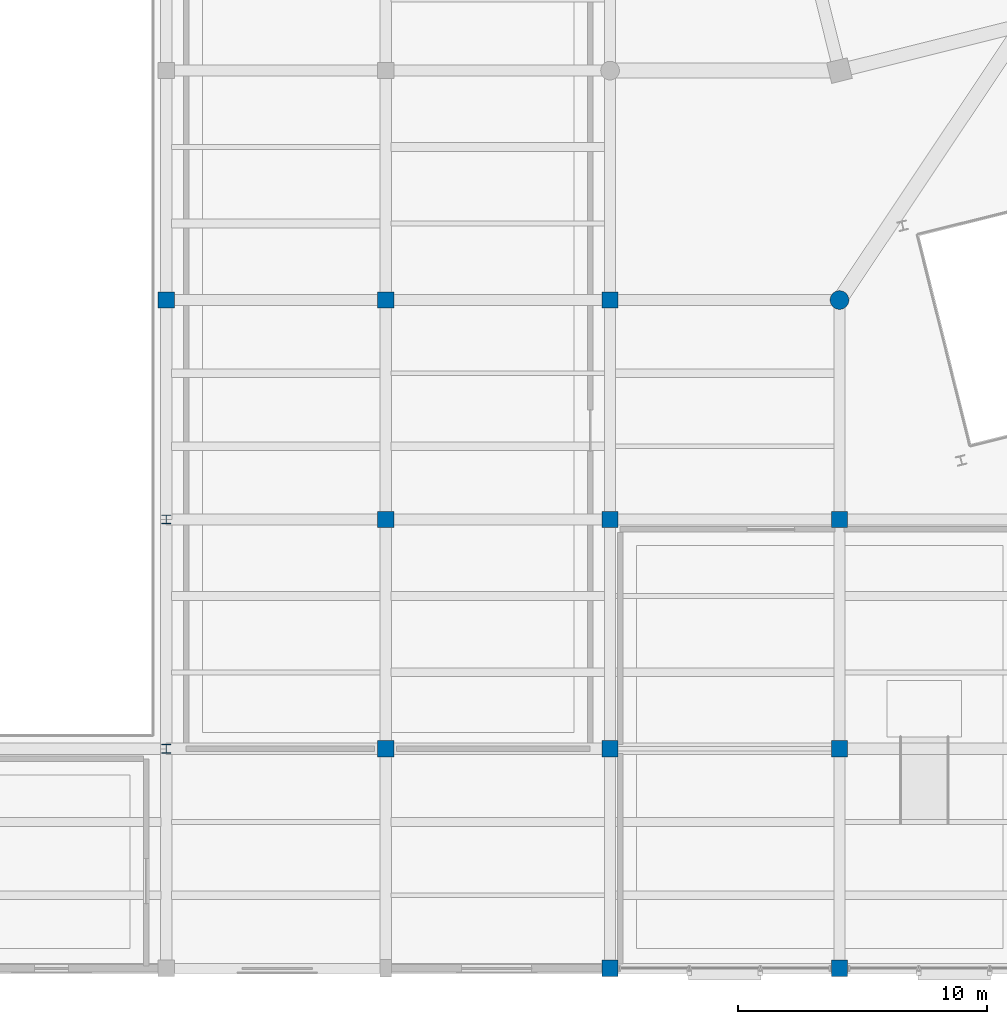
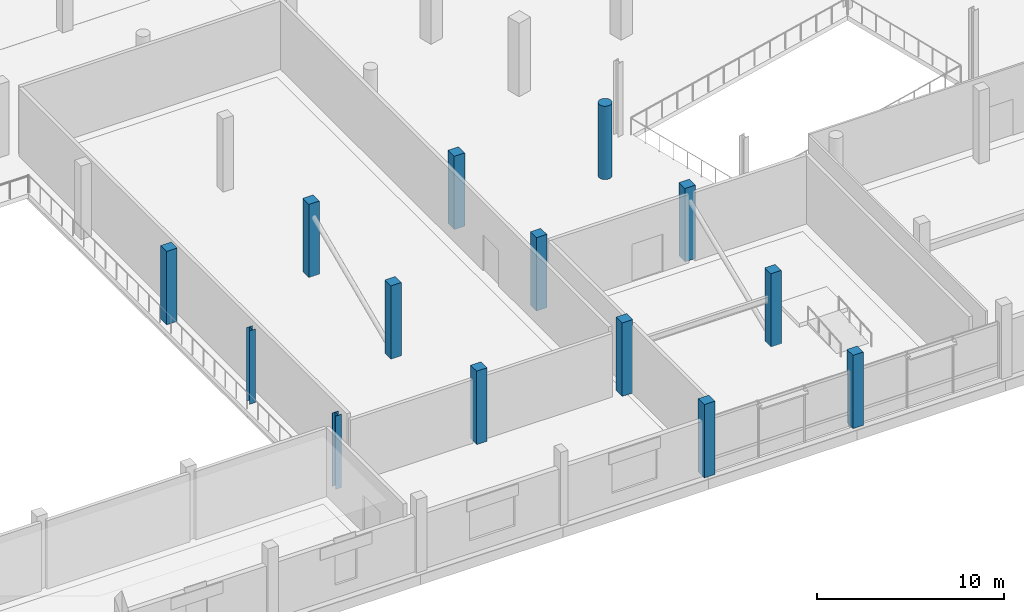
# One storey, part 2 of 71: 14 columns.
"""IFC4 building model written with IfcOpenShell, lengths in metres."""

import ifcopenshell
import ifcopenshell.guid

model = None  # the IFC model being written
_history = None  # IfcOwnerHistory: only IFC2X3 demands one
_inside = {}  # id of a spatial element -> (the spatial element, [elements in it])
_under = {}  # id of a project, library or spatial element -> (it, [spatial elements below it])
_declared = {}  # id of a project -> (the project, [libraries it declares])
_typed = {}  # id of a type object -> (the type object, [elements of that type])
_made_of = {}  # id of a material, layer set ... -> (it, [elements and type objects made of it])


def new_model(schema):
    """Start an empty IFC model of exactly this schema.

    Asked for "IFC4X3", IfcOpenShell would pick the latest addendum, in which some entities
    have other attributes; the version numbers below select the first issue.
    IFC2X3 requires an IfcOwnerHistory on every rooted entity: one is made here for all.
    """
    global model, _history
    if schema == "IFC4X3":
        model = ifcopenshell.file(schema_version=(4, 3, 0, 0))
    else:
        model = ifcopenshell.file(schema=schema)
    _inside.clear()
    _under.clear()
    _declared.clear()
    _typed.clear()
    _made_of.clear()
    _history = None
    if model.schema == "IFC2X3":
        org = make("IfcOrganization", Name="unknown")
        user = make(
            "IfcPersonAndOrganization",
            ThePerson=make("IfcPerson", FamilyName="unknown"),
            TheOrganization=org,
        )
        app = make(
            "IfcApplication",
            ApplicationDeveloper=org,
            Version="unknown",
            ApplicationFullName="unknown",
            ApplicationIdentifier="unknown",
        )
        _history = make(
            "IfcOwnerHistory",
            OwningUser=user,
            OwningApplication=app,
            ChangeAction="ADDED",
            CreationDate=0,
        )
    return model


def make(cls, **values):
    """One entity of the class cls with the attributes given. An attribute that is None is left unset."""
    return model.create_entity(
        cls, **{name: value for name, value in values.items() if value is not None}
    )


def rooted(cls, **values):
    """An entity with a GlobalId (a new one), such as an element, a storey or a relation."""
    return make(cls, GlobalId=ifcopenshell.guid.new(), OwnerHistory=_history, **values)


def si_unit(unit_type, name, prefix=None):
    """IfcSIUnit, for example si_unit("LENGTHUNIT", "METRE", prefix="MILLI")."""
    return make("IfcSIUnit", UnitType=unit_type, Prefix=prefix, Name=name)


def assignment(units):
    """IfcUnitAssignment: the units of a project."""
    return None if units is None else make("IfcUnitAssignment", Units=units)


def point(xyz):
    """IfcCartesianPoint."""
    return None if xyz is None else make("IfcCartesianPoint", Coordinates=xyz)


def direction(xyz):
    """IfcDirection."""
    return None if xyz is None else make("IfcDirection", DirectionRatios=xyz)


def frame(location, z_axis=None, x_axis=None):
    """IfcAxis2Placement3D, a coordinate frame: its origin and axes. An axis left out is left unset."""
    return make(
        "IfcAxis2Placement3D",
        Location=point(location),
        Axis=direction(z_axis),
        RefDirection=direction(x_axis),
    )


def frame_2d(location, x_axis=None):
    """IfcAxis2Placement2D, a coordinate frame in the plane: its origin and x axis."""
    return make(
        "IfcAxis2Placement2D", Location=point(location), RefDirection=direction(x_axis)
    )


def origin():
    """The frame at (0, 0, 0) with its axes left unset."""
    return frame((0.0, 0.0, 0.0))


def origin_2d():
    """The frame at (0, 0) in the plane with its x axis left unset."""
    return frame_2d((0.0, 0.0))


def place(relative_to, where):
    """IfcLocalPlacement: puts the frame where relative to a parent placement (None: the world)."""
    return make(
        "IfcLocalPlacement", PlacementRelTo=relative_to, RelativePlacement=where
    )


def context(
    kind, dimensions, precision=None, world=None, true_north=None, identifier=None
):
    """IfcGeometricRepresentationContext, for example the 3D "Model" context."""
    return make(
        "IfcGeometricRepresentationContext",
        ContextIdentifier=identifier,
        ContextType=kind,
        CoordinateSpaceDimension=dimensions,
        Precision=precision,
        WorldCoordinateSystem=world,
        TrueNorth=true_north,
    )


def subcontext(parent, identifier, kind, view, scale=None):
    """IfcGeometricRepresentationSubContext, for example "Body" below "Model"."""
    return make(
        "IfcGeometricRepresentationSubContext",
        ContextIdentifier=identifier,
        ContextType=kind,
        ParentContext=parent,
        TargetScale=scale,
        TargetView=view,
    )


def project(units=None, contexts=None):
    """IfcProject with its units and contexts."""
    return rooted(
        "IfcProject",
        Name="project",
        RepresentationContexts=contexts,
        UnitsInContext=assignment(units),
    )


def spatial(cls, under=None, at=None, **own):
    """A site, building, storey or space (cls), placed at a placement, below another one or the project."""
    s = rooted(cls, ObjectPlacement=at, **own)
    if under is not None:
        _under.setdefault(under.id(), (under, []))[1].append(s)
    return s


def profile(cls, at=None, kind="AREA", **sizes):
    """A parametric profile (cls). Its sizes go by their IFC names, for example OverallWidth=200.0."""
    return make(cls, ProfileType=kind, Position=at, **sizes)


def rectangle(**sizes):
    """IfcRectangleProfileDef."""
    return profile("IfcRectangleProfileDef", **sizes)


def circle(**sizes):
    """IfcCircleProfileDef."""
    return profile("IfcCircleProfileDef", **sizes)


def i_section(**sizes):
    """IfcIShapeProfileDef."""
    return profile("IfcIShapeProfileDef", **sizes)


def extrude(swept, where, along, depth):
    """IfcExtrudedAreaSolid: the profile swept, set in the frame where, extruded along a direction by depth."""
    return make(
        "IfcExtrudedAreaSolid",
        SweptArea=swept,
        Position=where,
        ExtrudedDirection=direction(along),
        Depth=depth,
    )


def shape(context_of_items, identifier, shape_type, items):
    """IfcShapeRepresentation: the items that make up one representation, for example the "Body"."""
    return make(
        "IfcShapeRepresentation",
        ContextOfItems=context_of_items,
        RepresentationIdentifier=identifier,
        RepresentationType=shape_type,
        Items=items,
    )


def material(Name=None, Category=None):
    """IfcMaterial."""
    return make("IfcMaterial", Name=Name, Category=Category)


def material_profile(
    of_material, cross_section, Name=None, Category=None, Priority=None
):
    """IfcMaterialProfile: a cross section and its material."""
    return make(
        "IfcMaterialProfile",
        Name=Name,
        Material=of_material,
        Profile=cross_section,
        Priority=Priority,
        Category=Category,
    )


def profile_set(profiles, Name=None, composite=None):
    """IfcMaterialProfileSet."""
    return make(
        "IfcMaterialProfileSet",
        Name=Name,
        MaterialProfiles=profiles,
        CompositeProfile=composite,
    )


def made_of(thing, what):
    """Note that an element or type object is made of a material, layer set ...; save() writes the relation."""
    if what is not None:
        _made_of.setdefault(what.id(), (what, []))[1].append(thing)
    return thing


def type_object(cls, material=None, **own):
    """A type object (cls), such as IfcWallType, which elements share."""
    return made_of(rooted(cls, **own), material)


def element(
    cls,
    number,
    at=None,
    inside=None,
    cuts=None,
    type_object=None,
    material=None,
    context=None,
    identifier="Body",
    shape_type=None,
    held_by="IfcProductDefinitionShape",
    body=None,
    shapes=None,
    **own,
):
    """One element of the class cls, such as IfcWall. Its Tag is "e" and its number.

    at: its placement. inside: the storey or other place that contains it. cuts: it is an
    opening in that element (IfcRelVoidsElement). A single representation is given by context,
    identifier, shape_type and body (its items); several are given by shapes. held_by: the class
    of the entity that holds the representations. save() writes the other relations.
    """
    e = rooted(cls, Tag="e%d" % number, ObjectPlacement=at, **own)
    if body is not None:
        shapes = [shape(context, identifier, shape_type, body)]
    if shapes is not None:
        e.Representation = make(held_by, Representations=shapes)
    if inside is not None:
        _inside.setdefault(inside.id(), (inside, []))[1].append(e)
    if cuts is not None:
        rooted(
            "IfcRelVoidsElement", RelatingBuildingElement=cuts, RelatedOpeningElement=e
        )
    if type_object is not None:
        _typed.setdefault(type_object.id(), (type_object, []))[1].append(e)
    return made_of(e, material)


def aggregate(whole, parts):
    """IfcRelAggregates: a whole, such as a stair, and the parts it consists of."""
    return rooted("IfcRelAggregates", RelatingObject=whole, RelatedObjects=parts)


def save(model, path):
    """Write the relations noted so far, then the file.

    IfcRelAggregates (storeys below a building ...), IfcRelContainedInSpatialStructure (elements
    in a storey), IfcRelDefinesByType, IfcRelAssociatesMaterial and IfcRelDeclares: one each for
    every whole, place, type object, material and project.
    """
    for whole, parts in _under.values():
        aggregate(whole, parts)
    for where, things in _inside.values():
        rooted(
            "IfcRelContainedInSpatialStructure",
            RelatedElements=things,
            RelatingStructure=where,
        )
    for kind, things in _typed.values():
        rooted("IfcRelDefinesByType", RelatedObjects=things, RelatingType=kind)
    for what, things in _made_of.values():
        rooted("IfcRelAssociatesMaterial", RelatedObjects=things, RelatingMaterial=what)
    for by, libraries in _declared.values():
        rooted("IfcRelDeclares", RelatingContext=by, RelatedDefinitions=libraries)
    model.write(path)


model = new_model("IFC4")

# Units and contexts
model_context = context("Model", 3, precision=1e-05, world=origin(), true_north=direction((0.0, 1.0)))
body_context = subcontext(model_context, "Body", "Model", "MODEL_VIEW")
ifc_project = project(units=[si_unit("LENGTHUNIT", "METRE"), si_unit("AREAUNIT", "SQUARE_METRE"), si_unit("VOLUMEUNIT", "CUBIC_METRE"), si_unit("PLANEANGLEUNIT", "RADIAN"), si_unit("MASSUNIT", "GRAM", prefix="KILO")], contexts=[model_context])

# Site, building, storey
site_placement = place(None, origin())
site = spatial("IfcSite", under=ifc_project, at=site_placement, CompositionType="ELEMENT")
building_placement = place(site_placement, origin())
building = spatial("IfcBuilding", under=site, at=building_placement, Name="Meriwether Solvik Hall", CompositionType="ELEMENT")
storey_placement = place(building_placement, frame((0.0, 0.0, 5.10009765625)))
storey = spatial("IfcBuildingStorey", under=building, at=storey_placement, Name="L01", CompositionType="ELEMENT", Elevation=5.10009765625)

# Columns
ifc_material_1 = material(Name="Concrete C40/50", Category="concrete")
ifc_material_profile_1 = material_profile(ifc_material_1, rectangle(XDim=0.64990234375, YDim=0.64990234375, at=origin_2d()), Name="RCC-650X650")
ifc_profile_set_1 = profile_set([ifc_material_profile_1], Name="Concrete C40/50")
column_type_1 = type_object("IfcColumnType", Name="COL-RC-650", PredefinedType="COLUMN", material=ifc_profile_set_1)
for number, where, z_axis, x_axis, name in (
    (1, (41.60009765625, 32.0, 0.0), (0.0, 0.0, 1.0), (1.0, 0.0, 0.0), "Podium Column 5/D (L01)"),
    (2, (50.39990234375, 14.0, 0.0), (0.0, 0.0, 1.0), (1.0, 0.0, 0.0), "Podium Column 6/B (L01)"),
    (3, (50.39990234375, 23.199951171875, 0.0), (0.0, 0.0, 1.0), (1.0, 0.0, 0.0), "Podium Column 6/C (L01)"),
    (4, (50.39990234375, 32.0, 0.0), (0.0, 0.0, 1.0), (1.0, 0.0, 0.0), "Podium Column 6/D (L01)"),
    (5, (59.39990234375, 5.199951171875, 0.0), (0.0, 0.0, 1.0), (1.0, 0.0, 0.0), "Podium Column 7/A (L01)"),
    (6, (59.39990234375, 14.0, 0.0), (0.0, 0.0, 1.0), (1.0, 0.0, 0.0), "Podium Column 7/B (L01)"),
    (7, (59.39990234375, 23.199951171875, 0.0), (0.0, 0.0, 1.0), (1.0, 0.0, 0.0), "Podium Column 7/C (L01)"),
    (8, (59.39990234375, 32.0, 0.0), (0.0, 0.0, 1.0), (1.0, 0.0, 0.0), "Podium Column 7/D (L01)"),
    (9, (68.60009765625, 5.199951171875, 0.0), (0.0, 0.0, 1.0), (1.0, 0.0, 0.0), "Podium Column 8/A (L01)"),
    (10, (68.60009765625, 14.0, 0.0), (0.0, 0.0, 1.0), (1.0, 0.0, 0.0), "Podium Column 8/B (L01)"),
    (11, (68.60009765625, 23.199951171875, 0.0), (0.0, 0.0, 1.0), (1.0, 0.0, 0.0), "Podium Column 8/C (L01)"),
):
    element("IfcColumn", number, at=place(storey_placement, frame(where, z_axis=z_axis, x_axis=x_axis)), inside=storey, type_object=column_type_1, Name=name, PredefinedType="COLUMN", context=body_context, shape_type="SweptSolid", body=[
        extrude(rectangle(XDim=0.64990234375, YDim=0.64990234375, at=origin_2d()), origin(), (0.0, 0.0, 1.0), 4.7998046875),
    ])
ifc_material_2 = material(Name="Concrete C40/50", Category="concrete")
ifc_material_profile_2 = material_profile(ifc_material_2, circle(Radius=0.375, at=origin_2d()), Name="RCC-D750")
ifc_profile_set_2 = profile_set([ifc_material_profile_2], Name="Concrete C40/50")
column_type_2 = type_object("IfcColumnType", Name="COL-RC-D750", PredefinedType="COLUMN", material=ifc_profile_set_2)
column_placement = place(storey_placement, frame((68.60009765625, 32.0, 0.0), z_axis=(0.0, 0.0, 1.0), x_axis=(1.0, 0.0, 0.0)))
element("IfcColumn", 12, at=column_placement, inside=storey, type_object=column_type_2, Name="Podium Column 8/D (L01)", PredefinedType="COLUMN", context=body_context, shape_type="SweptSolid", body=[
    extrude(circle(Radius=0.375, at=origin_2d()), origin(), (0.0, 0.0, 1.0), 4.7998046875),
])
ifc_material_3 = material(Name="Steel A992 Grade 50", Category="steel")
ifc_material_profile_3 = material_profile(ifc_material_3, i_section(OverallWidth=0.368896484375, OverallDepth=0.35595703125, WebThickness=0.01123046875, FlangeThickness=0.01806640625, at=origin_2d()), Name="W14X90")
ifc_profile_set_3 = profile_set([ifc_material_profile_3], Name="Steel A992 Grade 50")
column_type_3 = type_object("IfcColumnType", Name="COL-STL-W14X90", PredefinedType="COLUMN", material=ifc_profile_set_3)
for number, where, z_axis, x_axis, name in (
    (13, (41.60009765625, 14.0, 0.0), (0.0, 0.0, 1.0), (1.0, 0.0, 0.0), "Podium Column 5/B (L01)"),
    (14, (41.60009765625, 23.199951171875, 0.0), (0.0, 0.0, 1.0), (1.0, 0.0, 0.0), "Podium Column 5/C (L01)"),
):
    element("IfcColumn", number, at=place(storey_placement, frame(where, z_axis=z_axis, x_axis=x_axis)), inside=storey, type_object=column_type_3, Name=name, PredefinedType="COLUMN", context=body_context, shape_type="SweptSolid", body=[
        extrude(i_section(OverallWidth=0.368896484375, OverallDepth=0.35595703125, WebThickness=0.01123046875, FlangeThickness=0.01806640625, at=origin_2d()), origin(), (0.0, 0.0, 1.0), 4.7998046875),
    ])

save(model, "model.ifc")
